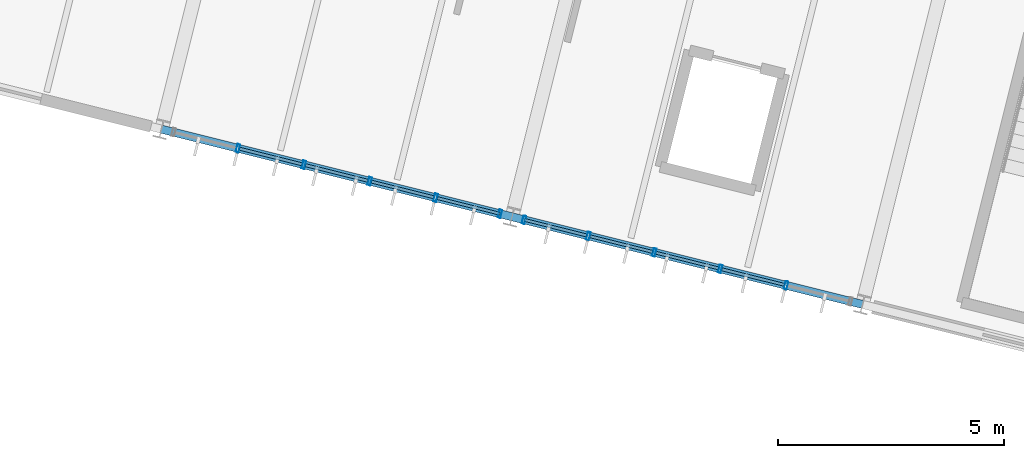
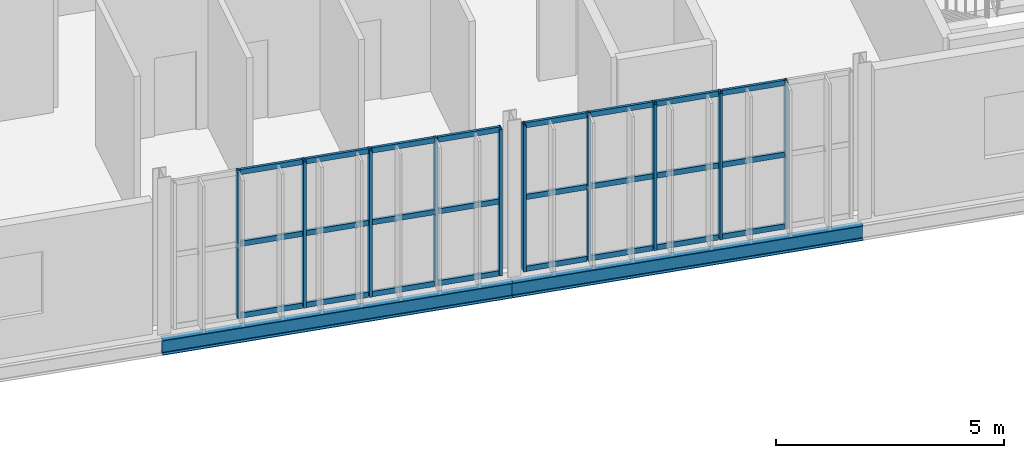
# One storey, part 25 of 61: 34 members, 2 beams, 2 elements without a shape of their own.
"""IFC4 building model written with IfcOpenShell, lengths in metres."""

import ifcopenshell
import ifcopenshell.guid

model = None  # the IFC model being written
_history = None  # IfcOwnerHistory: only IFC2X3 demands one
_inside = {}  # id of a spatial element -> (the spatial element, [elements in it])
_under = {}  # id of a project, library or spatial element -> (it, [spatial elements below it])
_declared = {}  # id of a project -> (the project, [libraries it declares])
_typed = {}  # id of a type object -> (the type object, [elements of that type])
_made_of = {}  # id of a material, layer set ... -> (it, [elements and type objects made of it])


def new_model(schema):
    """Start an empty IFC model of exactly this schema.

    Asked for "IFC4X3", IfcOpenShell would pick the latest addendum, in which some entities
    have other attributes; the version numbers below select the first issue.
    IFC2X3 requires an IfcOwnerHistory on every rooted entity: one is made here for all.
    """
    global model, _history
    if schema == "IFC4X3":
        model = ifcopenshell.file(schema_version=(4, 3, 0, 0))
    else:
        model = ifcopenshell.file(schema=schema)
    _inside.clear()
    _under.clear()
    _declared.clear()
    _typed.clear()
    _made_of.clear()
    _history = None
    if model.schema == "IFC2X3":
        org = make("IfcOrganization", Name="unknown")
        user = make(
            "IfcPersonAndOrganization",
            ThePerson=make("IfcPerson", FamilyName="unknown"),
            TheOrganization=org,
        )
        app = make(
            "IfcApplication",
            ApplicationDeveloper=org,
            Version="unknown",
            ApplicationFullName="unknown",
            ApplicationIdentifier="unknown",
        )
        _history = make(
            "IfcOwnerHistory",
            OwningUser=user,
            OwningApplication=app,
            ChangeAction="ADDED",
            CreationDate=0,
        )
    return model


def make(cls, **values):
    """One entity of the class cls with the attributes given. An attribute that is None is left unset."""
    return model.create_entity(
        cls, **{name: value for name, value in values.items() if value is not None}
    )


def rooted(cls, **values):
    """An entity with a GlobalId (a new one), such as an element, a storey or a relation."""
    return make(cls, GlobalId=ifcopenshell.guid.new(), OwnerHistory=_history, **values)


def si_unit(unit_type, name, prefix=None):
    """IfcSIUnit, for example si_unit("LENGTHUNIT", "METRE", prefix="MILLI")."""
    return make("IfcSIUnit", UnitType=unit_type, Prefix=prefix, Name=name)


def derived_unit(unit_type, elements):
    """IfcDerivedUnit: a product of units, each with its exponent."""
    return make(
        "IfcDerivedUnit",
        Elements=[
            make("IfcDerivedUnitElement", Unit=unit, Exponent=power)
            for unit, power in elements
        ],
        UnitType=unit_type,
    )


def assignment(units):
    """IfcUnitAssignment: the units of a project."""
    return None if units is None else make("IfcUnitAssignment", Units=units)


def point(xyz):
    """IfcCartesianPoint."""
    return None if xyz is None else make("IfcCartesianPoint", Coordinates=xyz)


def direction(xyz):
    """IfcDirection."""
    return None if xyz is None else make("IfcDirection", DirectionRatios=xyz)


def frame(location, z_axis=None, x_axis=None):
    """IfcAxis2Placement3D, a coordinate frame: its origin and axes. An axis left out is left unset."""
    return make(
        "IfcAxis2Placement3D",
        Location=point(location),
        Axis=direction(z_axis),
        RefDirection=direction(x_axis),
    )


def frame_2d(location, x_axis=None):
    """IfcAxis2Placement2D, a coordinate frame in the plane: its origin and x axis."""
    return make(
        "IfcAxis2Placement2D", Location=point(location), RefDirection=direction(x_axis)
    )


def origin():
    """The frame at (0, 0, 0) with its axes left unset."""
    return frame((0.0, 0.0, 0.0))


def origin_2d():
    """The frame at (0, 0) in the plane with its x axis left unset."""
    return frame_2d((0.0, 0.0))


def place(relative_to, where):
    """IfcLocalPlacement: puts the frame where relative to a parent placement (None: the world)."""
    return make(
        "IfcLocalPlacement", PlacementRelTo=relative_to, RelativePlacement=where
    )


def context(
    kind, dimensions, precision=None, world=None, true_north=None, identifier=None
):
    """IfcGeometricRepresentationContext, for example the 3D "Model" context."""
    return make(
        "IfcGeometricRepresentationContext",
        ContextIdentifier=identifier,
        ContextType=kind,
        CoordinateSpaceDimension=dimensions,
        Precision=precision,
        WorldCoordinateSystem=world,
        TrueNorth=true_north,
    )


def subcontext(parent, identifier, kind, view, scale=None):
    """IfcGeometricRepresentationSubContext, for example "Body" below "Model"."""
    return make(
        "IfcGeometricRepresentationSubContext",
        ContextIdentifier=identifier,
        ContextType=kind,
        ParentContext=parent,
        TargetScale=scale,
        TargetView=view,
    )


def project(units=None, contexts=None):
    """IfcProject with its units and contexts."""
    return rooted(
        "IfcProject",
        Name="project",
        RepresentationContexts=contexts,
        UnitsInContext=assignment(units),
    )


def spatial(cls, under=None, at=None, **own):
    """A site, building, storey or space (cls), placed at a placement, below another one or the project."""
    s = rooted(cls, ObjectPlacement=at, **own)
    if under is not None:
        _under.setdefault(under.id(), (under, []))[1].append(s)
    return s


def profile(cls, at=None, kind="AREA", **sizes):
    """A parametric profile (cls). Its sizes go by their IFC names, for example OverallWidth=200.0."""
    return make(cls, ProfileType=kind, Position=at, **sizes)


def hollow_rectangle(**sizes):
    """IfcRectangleHollowProfileDef."""
    return profile("IfcRectangleHollowProfileDef", **sizes)


def i_section(**sizes):
    """IfcIShapeProfileDef."""
    return profile("IfcIShapeProfileDef", **sizes)


def extrude(swept, where, along, depth):
    """IfcExtrudedAreaSolid: the profile swept, set in the frame where, extruded along a direction by depth."""
    return make(
        "IfcExtrudedAreaSolid",
        SweptArea=swept,
        Position=where,
        ExtrudedDirection=direction(along),
        Depth=depth,
    )


def shape(context_of_items, identifier, shape_type, items):
    """IfcShapeRepresentation: the items that make up one representation, for example the "Body"."""
    return make(
        "IfcShapeRepresentation",
        ContextOfItems=context_of_items,
        RepresentationIdentifier=identifier,
        RepresentationType=shape_type,
        Items=items,
    )


def material(Name=None, Category=None):
    """IfcMaterial."""
    return make("IfcMaterial", Name=Name, Category=Category)


def material_profile(
    of_material, cross_section, Name=None, Category=None, Priority=None
):
    """IfcMaterialProfile: a cross section and its material."""
    return make(
        "IfcMaterialProfile",
        Name=Name,
        Material=of_material,
        Profile=cross_section,
        Priority=Priority,
        Category=Category,
    )


def profile_set(profiles, Name=None, composite=None):
    """IfcMaterialProfileSet."""
    return make(
        "IfcMaterialProfileSet",
        Name=Name,
        MaterialProfiles=profiles,
        CompositeProfile=composite,
    )


def made_of(thing, what):
    """Note that an element or type object is made of a material, layer set ...; save() writes the relation."""
    if what is not None:
        _made_of.setdefault(what.id(), (what, []))[1].append(thing)
    return thing


def type_object(cls, material=None, **own):
    """A type object (cls), such as IfcWallType, which elements share."""
    return made_of(rooted(cls, **own), material)


def element(
    cls,
    number,
    at=None,
    inside=None,
    cuts=None,
    type_object=None,
    material=None,
    context=None,
    identifier="Body",
    shape_type=None,
    held_by="IfcProductDefinitionShape",
    body=None,
    shapes=None,
    **own,
):
    """One element of the class cls, such as IfcWall. Its Tag is "e" and its number.

    at: its placement. inside: the storey or other place that contains it. cuts: it is an
    opening in that element (IfcRelVoidsElement). A single representation is given by context,
    identifier, shape_type and body (its items); several are given by shapes. held_by: the class
    of the entity that holds the representations. save() writes the other relations.
    """
    e = rooted(cls, Tag="e%d" % number, ObjectPlacement=at, **own)
    if body is not None:
        shapes = [shape(context, identifier, shape_type, body)]
    if shapes is not None:
        e.Representation = make(held_by, Representations=shapes)
    if inside is not None:
        _inside.setdefault(inside.id(), (inside, []))[1].append(e)
    if cuts is not None:
        rooted(
            "IfcRelVoidsElement", RelatingBuildingElement=cuts, RelatedOpeningElement=e
        )
    if type_object is not None:
        _typed.setdefault(type_object.id(), (type_object, []))[1].append(e)
    return made_of(e, material)


def aggregate(whole, parts):
    """IfcRelAggregates: a whole, such as a stair, and the parts it consists of."""
    return rooted("IfcRelAggregates", RelatingObject=whole, RelatedObjects=parts)


def save(model, path):
    """Write the relations noted so far, then the file.

    IfcRelAggregates (storeys below a building ...), IfcRelContainedInSpatialStructure (elements
    in a storey), IfcRelDefinesByType, IfcRelAssociatesMaterial and IfcRelDeclares: one each for
    every whole, place, type object, material and project.
    """
    for whole, parts in _under.values():
        aggregate(whole, parts)
    for where, things in _inside.values():
        rooted(
            "IfcRelContainedInSpatialStructure",
            RelatedElements=things,
            RelatingStructure=where,
        )
    for kind, things in _typed.values():
        rooted("IfcRelDefinesByType", RelatedObjects=things, RelatingType=kind)
    for what, things in _made_of.values():
        rooted("IfcRelAssociatesMaterial", RelatedObjects=things, RelatingMaterial=what)
    for by, libraries in _declared.values():
        rooted("IfcRelDeclares", RelatingContext=by, RelatedDefinitions=libraries)
    model.write(path)


model = new_model("IFC4")

# Units and contexts
model_context = context("Model", 3, precision=1e-05, world=origin(), true_north=direction((0.0, 1.0)))
body_context = subcontext(model_context, "Body", "Model", "MODEL_VIEW")
ifc_project = project(units=[si_unit("LENGTHUNIT", "METRE"), si_unit("AREAUNIT", "SQUARE_METRE"), si_unit("VOLUMEUNIT", "CUBIC_METRE"), si_unit("PLANEANGLEUNIT", "RADIAN"), si_unit("MASSUNIT", "GRAM", prefix="KILO"), si_unit("THERMODYNAMICTEMPERATUREUNIT", "KELVIN"), si_unit("TIMEUNIT", "SECOND"), derived_unit("THERMALTRANSMITTANCEUNIT", [(si_unit("MASSUNIT", "GRAM", prefix="KILO"), 1), (si_unit("THERMODYNAMICTEMPERATUREUNIT", "KELVIN"), -1), (si_unit("TIMEUNIT", "SECOND"), -3)])], contexts=[model_context])

# Site, building, storey
site_placement = place(None, origin())
site = spatial("IfcSite", under=ifc_project, at=site_placement, CompositionType="ELEMENT")
building_placement = place(site_placement, origin())
building = spatial("IfcBuilding", under=site, at=building_placement, Name="Cambertide Market Hall", CompositionType="ELEMENT")
storey_placement = place(building_placement, frame((0.0, 0.0, 9.89990234375)))
storey = spatial("IfcBuildingStorey", under=building, at=storey_placement, Name="L03", CompositionType="ELEMENT", Elevation=9.89990234375)

# Curtain wall, members
ifc_material_1 = material(Name="Marine Anodized Aluminium 6063-T6 AA25", Category="aluminium")
curtain_wall_type = type_object("IfcCurtainWallType", Name="Cooking School Classroom Curtain Wall", PredefinedType="USERDEFINED", material=ifc_material_1)
curtain_wall_1_placement = place(storey_placement, origin())
curtain_wall_1 = element("IfcCurtainWall", 1, at=curtain_wall_1_placement, inside=storey, type_object=curtain_wall_type, Name="Level 3 Curtain Wall CW-V4S-L03-5", ObjectType="UNITIZED CURTAIN WALL", PredefinedType="USERDEFINED")
ifc_material_2 = material(Name="Champagne Marine Anodized Aluminium 6063-T6 AA25", Category="aluminium")
ifc_material_profile_1 = material_profile(ifc_material_2, hollow_rectangle(XDim=0.06494140625, YDim=0.179931640625, WallThickness=0.00390625, at=origin_2d()), Name="ALU MULLION 65x180")
ifc_profile_set_1 = profile_set([ifc_material_profile_1], Name="Champagne Marine Anodized Aluminium 6063-T6 AA25")
member_type_1 = type_object("IfcMemberType", Name="Curtain Wall Mullion ALU MULLION 65x180", PredefinedType="MULLION", material=ifc_profile_set_1)
member_1_placement = place(storey_placement, frame((146.538818359375, 90.365234375, 0.0), z_axis=(0.0, 0.0, 1.0), x_axis=(-0.970142531436, 0.242535499875, 0.0)))
member_1 = element("IfcMember", 2, at=member_1_placement, type_object=member_type_1, Name="CW-V4S-L03-5 Mullion 1", PredefinedType="MULLION", context=body_context, shape_type="SweptSolid", body=[
    extrude(hollow_rectangle(XDim=0.06494140625, YDim=0.179931640625, WallThickness=0.00390625, at=origin_2d()), origin(), (0.0, 0.0, 1.0), 3.920166015625),
])
member_2_placement = place(storey_placement, frame((145.11376953125, 90.721435546875, 0.0), z_axis=(0.0, 0.0, 1.0), x_axis=(-0.970142531436, 0.242535499875, 0.0)))
member_2 = element("IfcMember", 3, at=member_2_placement, type_object=member_type_1, Name="CW-V4S-L03-5 Mullion 2", PredefinedType="MULLION", context=body_context, shape_type="SweptSolid", body=[
    extrude(hollow_rectangle(XDim=0.06494140625, YDim=0.179931640625, WallThickness=0.00390625, at=origin_2d()), origin(), (0.0, 0.0, 1.0), 3.920166015625),
])
member_3_placement = place(storey_placement, frame((143.65478515625, 91.08642578125, 0.0), z_axis=(0.0, 0.0, 1.0), x_axis=(-0.970142531436, 0.242535499875, 0.0)))
member_3 = element("IfcMember", 4, at=member_3_placement, type_object=member_type_1, Name="CW-V4S-L03-5 Mullion 3", PredefinedType="MULLION", context=body_context, shape_type="SweptSolid", body=[
    extrude(hollow_rectangle(XDim=0.06494140625, YDim=0.179931640625, WallThickness=0.00390625, at=origin_2d()), origin(), (0.0, 0.0, 1.0), 3.920166015625),
])
member_4_placement = place(storey_placement, frame((142.195556640625, 91.451171875, 0.0), z_axis=(0.0, 0.0, 1.0), x_axis=(-0.970142531436, 0.242535499875, 0.0)))
member_4 = element("IfcMember", 5, at=member_4_placement, type_object=member_type_1, Name="CW-V4S-L03-5 Mullion 4", PredefinedType="MULLION", context=body_context, shape_type="SweptSolid", body=[
    extrude(hollow_rectangle(XDim=0.06494140625, YDim=0.179931640625, WallThickness=0.00390625, at=origin_2d()), origin(), (0.0, 0.0, 1.0), 3.920166015625),
])
member_5_placement = place(storey_placement, frame((140.736572265625, 91.81591796875, 0.0), z_axis=(0.0, 0.0, 1.0), x_axis=(-0.970142531436, 0.242535499875, 0.0)))
member_5 = element("IfcMember", 6, at=member_5_placement, type_object=member_type_1, Name="CW-V4S-L03-5 Mullion 5", PredefinedType="MULLION", context=body_context, shape_type="SweptSolid", body=[
    extrude(hollow_rectangle(XDim=0.06494140625, YDim=0.179931640625, WallThickness=0.00390625, at=origin_2d()), origin(), (0.0, 0.0, 1.0), 3.920166015625),
])

curtain_wall_2_placement = place(storey_placement, origin())
curtain_wall_2 = element("IfcCurtainWall", 7, at=curtain_wall_2_placement, inside=storey, type_object=curtain_wall_type, Name="Level 3 Curtain Wall CW-V4S-L03-6", ObjectType="UNITIZED CURTAIN WALL", PredefinedType="USERDEFINED")
member_6_placement = place(storey_placement, frame((152.875, 88.78125, 0.0), z_axis=(0.0, 0.0, 1.0), x_axis=(-0.970142531436, 0.242535499875, 0.0)))
member_6 = element("IfcMember", 8, at=member_6_placement, type_object=member_type_1, Name="CW-V4S-L03-6 Mullion 2", PredefinedType="MULLION", context=body_context, shape_type="SweptSolid", body=[
    extrude(hollow_rectangle(XDim=0.06494140625, YDim=0.179931640625, WallThickness=0.00390625, at=origin_2d()), origin(), (0.0, 0.0, 1.0), 3.920166015625),
])
member_7_placement = place(storey_placement, frame((151.415771484375, 89.14599609375, 0.0), z_axis=(0.0, 0.0, 1.0), x_axis=(-0.970142531436, 0.242535499875, 0.0)))
member_7 = element("IfcMember", 9, at=member_7_placement, type_object=member_type_1, Name="CW-V4S-L03-6 Mullion 3", PredefinedType="MULLION", context=body_context, shape_type="SweptSolid", body=[
    extrude(hollow_rectangle(XDim=0.06494140625, YDim=0.179931640625, WallThickness=0.00390625, at=origin_2d()), origin(), (0.0, 0.0, 1.0), 3.920166015625),
])
member_8_placement = place(storey_placement, frame((149.956787109375, 89.5107421875, 0.0), z_axis=(0.0, 0.0, 1.0), x_axis=(-0.970142531436, 0.242535499875, 0.0)))
member_8 = element("IfcMember", 10, at=member_8_placement, type_object=member_type_1, Name="CW-V4S-L03-6 Mullion 4", PredefinedType="MULLION", context=body_context, shape_type="SweptSolid", body=[
    extrude(hollow_rectangle(XDim=0.06494140625, YDim=0.179931640625, WallThickness=0.00390625, at=origin_2d()), origin(), (0.0, 0.0, 1.0), 3.920166015625),
])
member_9_placement = place(storey_placement, frame((148.49755859375, 89.87548828125, 0.0), z_axis=(0.0, 0.0, 1.0), x_axis=(-0.970142531436, 0.242535499875, 0.0)))
member_9 = element("IfcMember", 11, at=member_9_placement, type_object=member_type_1, Name="CW-V4S-L03-6 Mullion 5", PredefinedType="MULLION", context=body_context, shape_type="SweptSolid", body=[
    extrude(hollow_rectangle(XDim=0.06494140625, YDim=0.179931640625, WallThickness=0.00390625, at=origin_2d()), origin(), (0.0, 0.0, 1.0), 3.920166015625),
])
member_10_placement = place(storey_placement, frame((147.072509765625, 90.23193359375, 0.0), z_axis=(0.0, 0.0, 1.0), x_axis=(-0.970142531436, 0.242535499875, 0.0)))
member_10 = element("IfcMember", 12, at=member_10_placement, type_object=member_type_1, Name="CW-V4S-L03-6 Mullion 6", PredefinedType="MULLION", context=body_context, shape_type="SweptSolid", body=[
    extrude(hollow_rectangle(XDim=0.06494140625, YDim=0.179931640625, WallThickness=0.00390625, at=origin_2d()), origin(), (0.0, 0.0, 1.0), 3.920166015625),
])

# Member
ifc_material_3 = material(Name="Champagne Marine Anodized Aluminium 6063-T6 AA25", Category="aluminium")
ifc_material_profile_2 = material_profile(ifc_material_3, hollow_rectangle(XDim=0.06494140625, YDim=0.139892578125, WallThickness=0.00341796875, at=origin_2d()), Name="ALU TRANSOM 65x140")
ifc_profile_set_2 = profile_set([ifc_material_profile_2], Name="Champagne Marine Anodized Aluminium 6063-T6 AA25")
member_type_2 = type_object("IfcMemberType", Name="Curtain Wall Transom ALU TRANSOM 65x140", PredefinedType="USERDEFINED", material=ifc_profile_set_2)
member_11_placement = place(storey_placement, frame((146.5341796875, 90.366455078125, 0.03515625), z_axis=(-0.970132415085, 0.242575961715, 0.0), x_axis=(-0.242575961715, -0.970132415085, 0.0)))
member_11 = element("IfcMember", 13, at=member_11_placement, type_object=member_type_2, Name="CW-V4S-L03-5 Transom 1-1", ObjectType="TRANSOM", PredefinedType="USERDEFINED", context=body_context, shape_type="SweptSolid", body=[
    extrude(hollow_rectangle(XDim=0.06494140625, YDim=0.139892578125, WallThickness=0.00341796875, at=origin_2d()), origin(), (0.0, 0.0, 1.0), 1.424072265625),
])

member_12_placement = place(storey_placement, frame((145.074951171875, 90.731201171875, 0.03515625), z_axis=(-0.970122324991, 0.242616311393, 0.0), x_axis=(-0.242616311393, -0.970122324991, 0.0)))
member_12 = element("IfcMember", 14, at=member_12_placement, type_object=member_type_2, Name="CW-V4S-L03-5 Transom 1-2", ObjectType="TRANSOM", PredefinedType="USERDEFINED", context=body_context, shape_type="SweptSolid", body=[
    extrude(hollow_rectangle(XDim=0.06494140625, YDim=0.139892578125, WallThickness=0.00341796875, at=origin_2d()), origin(), (0.0, 0.0, 1.0), 1.423828125),
])

member_13_placement = place(storey_placement, frame((143.615966796875, 91.095947265625, 0.03515625), z_axis=(-0.970132415085, 0.242575961715, 0.0), x_axis=(-0.242575961715, -0.970132415085, 0.0)))
member_13 = element("IfcMember", 15, at=member_13_placement, type_object=member_type_2, Name="CW-V4S-L03-5 Transom 1-3", ObjectType="TRANSOM", PredefinedType="USERDEFINED", context=body_context, shape_type="SweptSolid", body=[
    extrude(hollow_rectangle(XDim=0.06494140625, YDim=0.139892578125, WallThickness=0.00341796875, at=origin_2d()), origin(), (0.0, 0.0, 1.0), 1.424072265625),
])

member_14_placement = place(storey_placement, frame((142.15673828125, 91.460693359375, 0.03515625), z_axis=(-0.970122324991, 0.242616311393, 0.0), x_axis=(-0.242616311393, -0.970122324991, 0.0)))
member_14 = element("IfcMember", 16, at=member_14_placement, type_object=member_type_2, Name="CW-V4S-L03-5 Transom 1-4", ObjectType="TRANSOM", PredefinedType="USERDEFINED", context=body_context, shape_type="SweptSolid", body=[
    extrude(hollow_rectangle(XDim=0.06494140625, YDim=0.139892578125, WallThickness=0.00341796875, at=origin_2d()), origin(), (0.0, 0.0, 1.0), 1.423828125),
])

member_15_placement = place(storey_placement, frame((146.5341796875, 90.366455078125, 1.960205078125), z_axis=(-0.970132415085, 0.242575961715, 0.0), x_axis=(-0.242575961715, -0.970132415085, 0.0)))
member_15 = element("IfcMember", 17, at=member_15_placement, type_object=member_type_2, Name="CW-V4S-L03-5 Transom 2-1", ObjectType="TRANSOM", PredefinedType="USERDEFINED", context=body_context, shape_type="SweptSolid", body=[
    extrude(hollow_rectangle(XDim=0.06494140625, YDim=0.139892578125, WallThickness=0.00341796875, at=origin_2d()), origin(), (0.0, 0.0, 1.0), 1.424072265625),
])

member_16_placement = place(storey_placement, frame((145.074951171875, 90.731201171875, 1.960205078125), z_axis=(-0.970122324991, 0.242616311393, 0.0), x_axis=(-0.242616311393, -0.970122324991, 0.0)))
member_16 = element("IfcMember", 18, at=member_16_placement, type_object=member_type_2, Name="CW-V4S-L03-5 Transom 2-2", ObjectType="TRANSOM", PredefinedType="USERDEFINED", context=body_context, shape_type="SweptSolid", body=[
    extrude(hollow_rectangle(XDim=0.06494140625, YDim=0.139892578125, WallThickness=0.00341796875, at=origin_2d()), origin(), (0.0, 0.0, 1.0), 1.423828125),
])

member_17_placement = place(storey_placement, frame((143.615966796875, 91.095947265625, 1.960205078125), z_axis=(-0.970132415085, 0.242575961715, 0.0), x_axis=(-0.242575961715, -0.970132415085, 0.0)))
member_17 = element("IfcMember", 19, at=member_17_placement, type_object=member_type_2, Name="CW-V4S-L03-5 Transom 2-3", ObjectType="TRANSOM", PredefinedType="USERDEFINED", context=body_context, shape_type="SweptSolid", body=[
    extrude(hollow_rectangle(XDim=0.06494140625, YDim=0.139892578125, WallThickness=0.00341796875, at=origin_2d()), origin(), (0.0, 0.0, 1.0), 1.424072265625),
])

member_18_placement = place(storey_placement, frame((142.15673828125, 91.460693359375, 1.960205078125), z_axis=(-0.970122324991, 0.242616311393, 0.0), x_axis=(-0.242616311393, -0.970122324991, 0.0)))
member_18 = element("IfcMember", 20, at=member_18_placement, type_object=member_type_2, Name="CW-V4S-L03-5 Transom 2-4", ObjectType="TRANSOM", PredefinedType="USERDEFINED", context=body_context, shape_type="SweptSolid", body=[
    extrude(hollow_rectangle(XDim=0.06494140625, YDim=0.139892578125, WallThickness=0.00341796875, at=origin_2d()), origin(), (0.0, 0.0, 1.0), 1.423828125),
])

member_19_placement = place(storey_placement, frame((146.5341796875, 90.366455078125, 3.885009765625), z_axis=(-0.970132415085, 0.242575961715, 0.0), x_axis=(-0.242575961715, -0.970132415085, 0.0)))
member_19 = element("IfcMember", 21, at=member_19_placement, type_object=member_type_2, Name="CW-V4S-L03-5 Transom 3-1", ObjectType="TRANSOM", PredefinedType="USERDEFINED", context=body_context, shape_type="SweptSolid", body=[
    extrude(hollow_rectangle(XDim=0.06494140625, YDim=0.139892578125, WallThickness=0.00341796875, at=origin_2d()), origin(), (0.0, 0.0, 1.0), 1.424072265625),
])

member_20_placement = place(storey_placement, frame((145.074951171875, 90.731201171875, 3.885009765625), z_axis=(-0.970122324991, 0.242616311393, 0.0), x_axis=(-0.242616311393, -0.970122324991, 0.0)))
member_20 = element("IfcMember", 22, at=member_20_placement, type_object=member_type_2, Name="CW-V4S-L03-5 Transom 3-2", ObjectType="TRANSOM", PredefinedType="USERDEFINED", context=body_context, shape_type="SweptSolid", body=[
    extrude(hollow_rectangle(XDim=0.06494140625, YDim=0.139892578125, WallThickness=0.00341796875, at=origin_2d()), origin(), (0.0, 0.0, 1.0), 1.423828125),
])

member_21_placement = place(storey_placement, frame((143.615966796875, 91.095947265625, 3.885009765625), z_axis=(-0.970132415085, 0.242575961715, 0.0), x_axis=(-0.242575961715, -0.970132415085, 0.0)))
member_21 = element("IfcMember", 23, at=member_21_placement, type_object=member_type_2, Name="CW-V4S-L03-5 Transom 3-3", ObjectType="TRANSOM", PredefinedType="USERDEFINED", context=body_context, shape_type="SweptSolid", body=[
    extrude(hollow_rectangle(XDim=0.06494140625, YDim=0.139892578125, WallThickness=0.00341796875, at=origin_2d()), origin(), (0.0, 0.0, 1.0), 1.424072265625),
])

member_22_placement = place(storey_placement, frame((142.15673828125, 91.460693359375, 3.885009765625), z_axis=(-0.970122324991, 0.242616311393, 0.0), x_axis=(-0.242616311393, -0.970122324991, 0.0)))
member_22 = element("IfcMember", 24, at=member_22_placement, type_object=member_type_2, Name="CW-V4S-L03-5 Transom 3-4", ObjectType="TRANSOM", PredefinedType="USERDEFINED", context=body_context, shape_type="SweptSolid", body=[
    extrude(hollow_rectangle(XDim=0.06494140625, YDim=0.139892578125, WallThickness=0.00341796875, at=origin_2d()), origin(), (0.0, 0.0, 1.0), 1.423828125),
])

aggregate(curtain_wall_1, [member_1, member_2, member_3, member_4, member_5, member_11, member_12, member_13, member_14, member_15, member_16, member_17, member_18, member_19, member_20, member_21, member_22])

member_23_placement = place(storey_placement, frame((152.836181640625, 88.791015625, 0.03515625), z_axis=(-0.970172746521, 0.242414607454, 0.0), x_axis=(-0.242414607454, -0.970172746521, 0.0)))
member_23 = element("IfcMember", 25, at=member_23_placement, type_object=member_type_2, Name="CW-V4S-L03-6 Transom 1-2", ObjectType="TRANSOM", PredefinedType="USERDEFINED", context=body_context, shape_type="SweptSolid", body=[
    extrude(hollow_rectangle(XDim=0.06494140625, YDim=0.139892578125, WallThickness=0.00341796875, at=origin_2d()), origin(), (0.0, 0.0, 1.0), 1.424072265625),
])

member_24_placement = place(storey_placement, frame((151.376953125, 89.15576171875, 0.03515625), z_axis=(-0.970122324991, 0.242616311393, 0.0), x_axis=(-0.242616311393, -0.970122324991, 0.0)))
member_24 = element("IfcMember", 26, at=member_24_placement, type_object=member_type_2, Name="CW-V4S-L03-6 Transom 1-3", ObjectType="TRANSOM", PredefinedType="USERDEFINED", context=body_context, shape_type="SweptSolid", body=[
    extrude(hollow_rectangle(XDim=0.06494140625, YDim=0.139892578125, WallThickness=0.00341796875, at=origin_2d()), origin(), (0.0, 0.0, 1.0), 1.423828125),
])

member_25_placement = place(storey_placement, frame((149.91796875, 89.5205078125, 0.03515625), z_axis=(-0.970132415085, 0.242575961715, 0.0), x_axis=(-0.242575961715, -0.970132415085, 0.0)))
member_25 = element("IfcMember", 27, at=member_25_placement, type_object=member_type_2, Name="CW-V4S-L03-6 Transom 1-4", ObjectType="TRANSOM", PredefinedType="USERDEFINED", context=body_context, shape_type="SweptSolid", body=[
    extrude(hollow_rectangle(XDim=0.06494140625, YDim=0.139892578125, WallThickness=0.00341796875, at=origin_2d()), origin(), (0.0, 0.0, 1.0), 1.424072265625),
])

member_26_placement = place(storey_placement, frame((148.458740234375, 89.88525390625, 0.03515625), z_axis=(-0.970122324991, 0.242616311393, 0.0), x_axis=(-0.242616311393, -0.970122324991, 0.0)))
member_26 = element("IfcMember", 28, at=member_26_placement, type_object=member_type_2, Name="CW-V4S-L03-6 Transom 1-5", ObjectType="TRANSOM", PredefinedType="USERDEFINED", context=body_context, shape_type="SweptSolid", body=[
    extrude(hollow_rectangle(XDim=0.06494140625, YDim=0.139892578125, WallThickness=0.00341796875, at=origin_2d()), origin(), (0.0, 0.0, 1.0), 1.423828125),
])

member_27_placement = place(storey_placement, frame((152.836181640625, 88.791015625, 1.960205078125), z_axis=(-0.970172746521, 0.242414607454, 0.0), x_axis=(-0.242414607454, -0.970172746521, 0.0)))
member_27 = element("IfcMember", 29, at=member_27_placement, type_object=member_type_2, Name="CW-V4S-L03-6 Transom 2-2", ObjectType="TRANSOM", PredefinedType="USERDEFINED", context=body_context, shape_type="SweptSolid", body=[
    extrude(hollow_rectangle(XDim=0.06494140625, YDim=0.139892578125, WallThickness=0.00341796875, at=origin_2d()), origin(), (0.0, 0.0, 1.0), 1.424072265625),
])

member_28_placement = place(storey_placement, frame((151.376953125, 89.15576171875, 1.960205078125), z_axis=(-0.970122324991, 0.242616311393, 0.0), x_axis=(-0.242616311393, -0.970122324991, 0.0)))
member_28 = element("IfcMember", 30, at=member_28_placement, type_object=member_type_2, Name="CW-V4S-L03-6 Transom 2-3", ObjectType="TRANSOM", PredefinedType="USERDEFINED", context=body_context, shape_type="SweptSolid", body=[
    extrude(hollow_rectangle(XDim=0.06494140625, YDim=0.139892578125, WallThickness=0.00341796875, at=origin_2d()), origin(), (0.0, 0.0, 1.0), 1.423828125),
])

member_29_placement = place(storey_placement, frame((149.91796875, 89.5205078125, 1.960205078125), z_axis=(-0.970132415085, 0.242575961715, 0.0), x_axis=(-0.242575961715, -0.970132415085, 0.0)))
member_29 = element("IfcMember", 31, at=member_29_placement, type_object=member_type_2, Name="CW-V4S-L03-6 Transom 2-4", ObjectType="TRANSOM", PredefinedType="USERDEFINED", context=body_context, shape_type="SweptSolid", body=[
    extrude(hollow_rectangle(XDim=0.06494140625, YDim=0.139892578125, WallThickness=0.00341796875, at=origin_2d()), origin(), (0.0, 0.0, 1.0), 1.424072265625),
])

member_30_placement = place(storey_placement, frame((148.458740234375, 89.88525390625, 1.960205078125), z_axis=(-0.970122324991, 0.242616311393, 0.0), x_axis=(-0.242616311393, -0.970122324991, 0.0)))
member_30 = element("IfcMember", 32, at=member_30_placement, type_object=member_type_2, Name="CW-V4S-L03-6 Transom 2-5", ObjectType="TRANSOM", PredefinedType="USERDEFINED", context=body_context, shape_type="SweptSolid", body=[
    extrude(hollow_rectangle(XDim=0.06494140625, YDim=0.139892578125, WallThickness=0.00341796875, at=origin_2d()), origin(), (0.0, 0.0, 1.0), 1.423828125),
])

member_31_placement = place(storey_placement, frame((152.836181640625, 88.791015625, 3.885009765625), z_axis=(-0.970172746521, 0.242414607454, 0.0), x_axis=(-0.242414607454, -0.970172746521, 0.0)))
member_31 = element("IfcMember", 33, at=member_31_placement, type_object=member_type_2, Name="CW-V4S-L03-6 Transom 3-2", ObjectType="TRANSOM", PredefinedType="USERDEFINED", context=body_context, shape_type="SweptSolid", body=[
    extrude(hollow_rectangle(XDim=0.06494140625, YDim=0.139892578125, WallThickness=0.00341796875, at=origin_2d()), origin(), (0.0, 0.0, 1.0), 1.424072265625),
])

member_32_placement = place(storey_placement, frame((151.376953125, 89.15576171875, 3.885009765625), z_axis=(-0.970122324991, 0.242616311393, 0.0), x_axis=(-0.242616311393, -0.970122324991, 0.0)))
member_32 = element("IfcMember", 34, at=member_32_placement, type_object=member_type_2, Name="CW-V4S-L03-6 Transom 3-3", ObjectType="TRANSOM", PredefinedType="USERDEFINED", context=body_context, shape_type="SweptSolid", body=[
    extrude(hollow_rectangle(XDim=0.06494140625, YDim=0.139892578125, WallThickness=0.00341796875, at=origin_2d()), origin(), (0.0, 0.0, 1.0), 1.423828125),
])

member_33_placement = place(storey_placement, frame((149.91796875, 89.5205078125, 3.885009765625), z_axis=(-0.970132415085, 0.242575961715, 0.0), x_axis=(-0.242575961715, -0.970132415085, 0.0)))
member_33 = element("IfcMember", 35, at=member_33_placement, type_object=member_type_2, Name="CW-V4S-L03-6 Transom 3-4", ObjectType="TRANSOM", PredefinedType="USERDEFINED", context=body_context, shape_type="SweptSolid", body=[
    extrude(hollow_rectangle(XDim=0.06494140625, YDim=0.139892578125, WallThickness=0.00341796875, at=origin_2d()), origin(), (0.0, 0.0, 1.0), 1.424072265625),
])

member_34_placement = place(storey_placement, frame((148.458740234375, 89.88525390625, 3.885009765625), z_axis=(-0.970122324991, 0.242616311393, 0.0), x_axis=(-0.242616311393, -0.970122324991, 0.0)))
member_34 = element("IfcMember", 36, at=member_34_placement, type_object=member_type_2, Name="CW-V4S-L03-6 Transom 3-5", ObjectType="TRANSOM", PredefinedType="USERDEFINED", context=body_context, shape_type="SweptSolid", body=[
    extrude(hollow_rectangle(XDim=0.06494140625, YDim=0.139892578125, WallThickness=0.00341796875, at=origin_2d()), origin(), (0.0, 0.0, 1.0), 1.423828125),
])

aggregate(curtain_wall_2, [member_6, member_7, member_8, member_9, member_10, member_23, member_24, member_25, member_26, member_27, member_28, member_29, member_30, member_31, member_32, member_33, member_34])

# Beams
ifc_material_4 = material(Name="Steel S355", Category="steel")
ifc_material_profile_3 = material_profile(ifc_material_4, i_section(OverallWidth=0.179931640625, OverallDepth=0.39990234375, WebThickness=0.008544921875, FlangeThickness=0.013427734375, FilletRadius=0.02099609375, at=origin_2d()), Name="IPE 400")
ifc_profile_set_3 = profile_set([ifc_material_profile_3], Name="Steel S355")
beam_type = type_object("IfcBeamType", Name="Perimeter Spandrel Beam IPE 400", PredefinedType="SPANDREL", material=ifc_profile_set_3)
beam_1_placement = place(storey_placement, frame((139.044677734375, 92.23876953125, -0.44482421875), z_axis=(0.970144295309, -0.242528444268, 0.0), x_axis=(0.242528444268, 0.970144295309, 0.0)))
element("IfcBeam", 37, at=beam_1_placement, inside=storey, type_object=beam_type, Name="Level 3 Spandrel BM-V4U-L03-5-1", PredefinedType="SPANDREL", context=body_context, shape_type="SweptSolid", body=[
    extrude(i_section(OverallWidth=0.179931640625, OverallDepth=0.39990234375, WebThickness=0.008544921875, FlangeThickness=0.013427734375, FilletRadius=0.02099609375, at=origin_2d()), origin(), (0.0, 0.0, 1.0), 7.999755859375),
])
beam_2_placement = place(storey_placement, frame((146.8056640625, 90.298583984375, -0.44482421875), z_axis=(0.970146090314, -0.242521263911, 0.0), x_axis=(0.242521263911, 0.970146090314, 0.0)))
element("IfcBeam", 38, at=beam_2_placement, inside=storey, type_object=beam_type, Name="Level 3 Spandrel BM-V4U-L03-6-1", PredefinedType="SPANDREL", context=body_context, shape_type="SweptSolid", body=[
    extrude(i_section(OverallWidth=0.179931640625, OverallDepth=0.39990234375, WebThickness=0.008544921875, FlangeThickness=0.013427734375, FilletRadius=0.02099609375, at=origin_2d()), origin(), (0.0, 0.0, 1.0), 8.0),
])

save(model, "model.ifc")
